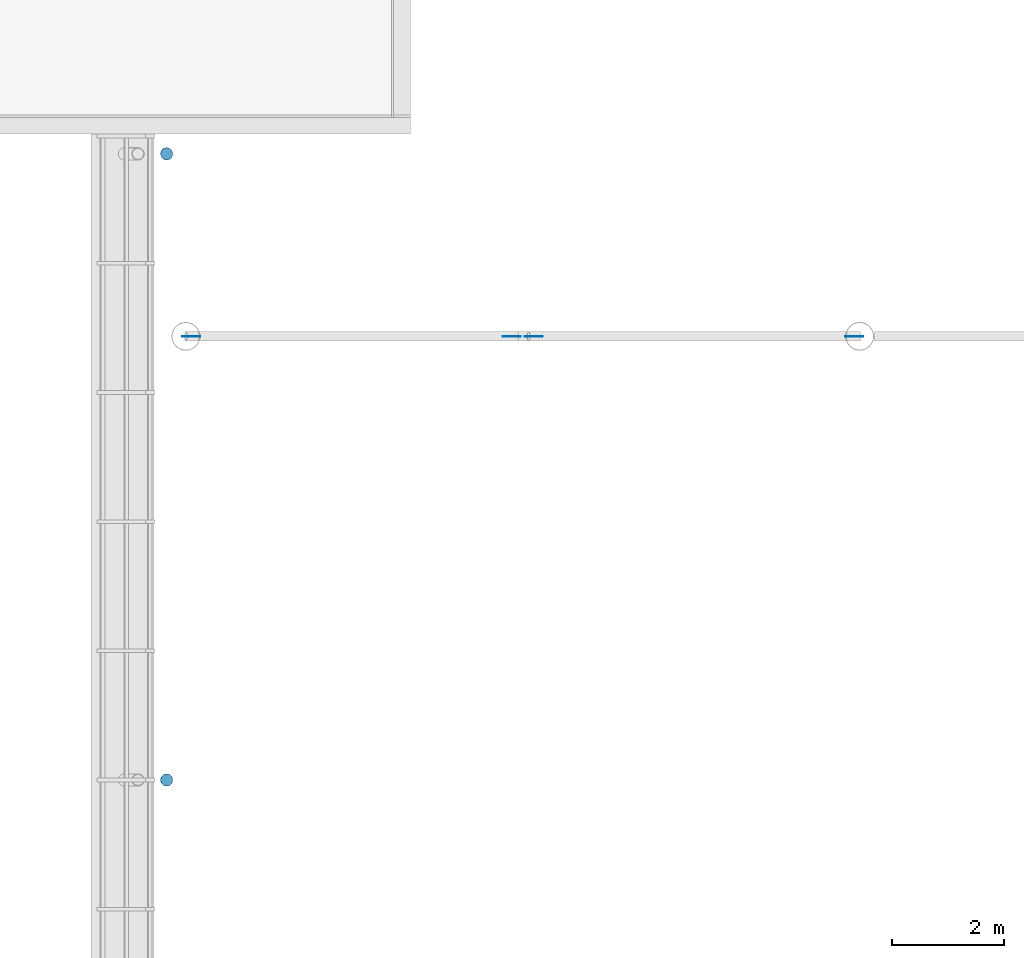
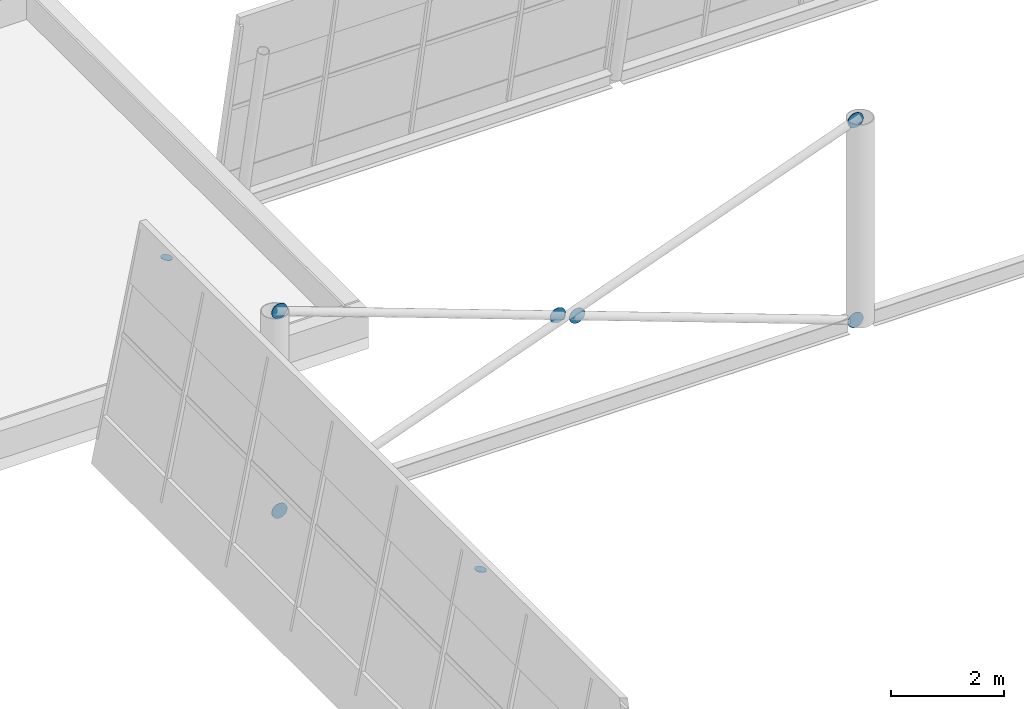
# One storey, part 38 of 50: 8 discrete accessories.
"""IFC4 building model written with IfcOpenShell, lengths in metres."""

from ifc_helpers import new_model, si_unit, direction, frame, origin, origin_2d, place, context, subcontext, project, spatial, circle, extrude, material, layer, layer_set, type_object, element, save


model = new_model("IFC4")

# Units and contexts
model_context = context("Model", 3, precision=1e-05, world=origin(), true_north=direction((0.0, 1.0)))
body_context = subcontext(model_context, "Body", "Model", "MODEL_VIEW")
ifc_project = project(units=[si_unit("LENGTHUNIT", "METRE"), si_unit("AREAUNIT", "SQUARE_METRE"), si_unit("VOLUMEUNIT", "CUBIC_METRE"), si_unit("PLANEANGLEUNIT", "RADIAN"), si_unit("MASSUNIT", "GRAM", prefix="KILO")], contexts=[model_context])

# Site, building, storey
site_placement = place(None, origin())
site = spatial("IfcSite", under=ifc_project, at=site_placement, CompositionType="ELEMENT")
building_placement = place(site_placement, origin())
building = spatial("IfcBuilding", under=site, at=building_placement, Name="Windward Yard Aquatics Centre", CompositionType="ELEMENT")
storey_placement = place(building_placement, frame((0.0, 0.0, 18.199951171875)))
storey = spatial("IfcBuildingStorey", under=building, at=storey_placement, Name="L04", CompositionType="ELEMENT", Elevation=18.199951171875)

# Discrete accessories
ifc_material = material(Name="Steel S355", Category="steel")
ifc_layer_1 = layer(ifc_material, 0.010009765625)
ifc_layer_set_1 = layer_set([ifc_layer_1], Name="End cap plate 10 mm CHS219.1x12.7")
discrete_accessory_type_1 = type_object("IfcDiscreteAccessoryType", Name="End cap plate 10 mm CHS219.1x12.7", PredefinedType="USERDEFINED", material=ifc_layer_set_1)
for number, where, z_axis, x_axis, name in (
    (1, (59.65771484375, 83.64990234375, 3.7001953125), (0.196116135138, 0.0, 0.980580675691), (0.0, 1.0, 0.0), "End cap"),
    (2, (59.65771484375, 72.5, 3.7001953125), (0.196116135138, 0.0, 0.980580675691), (0.0, 1.0, 0.0), "End cap"),
):
    element("IfcDiscreteAccessory", number, at=place(storey_placement, frame(where, z_axis=z_axis, x_axis=x_axis)), inside=storey, type_object=discrete_accessory_type_1, Name=name, ObjectType="END CAP", PredefinedType="USERDEFINED", context=body_context, shape_type="SweptSolid", body=[
        extrude(circle(Radius=0.109619140625, at=origin_2d()), origin(), (0.0, 0.0, 1.0), 0.010009765625),
    ])
ifc_layer_2 = layer(ifc_material, 0.011962890625)
ifc_layer_set_2 = layer_set([ifc_layer_2], Name="Gusset plate 320 mm disc 12 mm")
discrete_accessory_type_2 = type_object("IfcDiscreteAccessoryType", Name="Gusset plate 320 mm disc 12 mm", PredefinedType="USERDEFINED", material=ifc_layer_set_2)
for number, where, z_axis, x_axis, name in (
    (3, (60.093994140625, 80.39404296875, 0.034423828125), (0.0, 1.0, 0.0), (-1.0, 0.0, 0.0), "Gusset plate"),
    (4, (71.906005859375, 80.39404296875, 4.36572265625), (0.0, 1.0, 0.0), (-1.0, 0.0, 0.0), "Gusset plate"),
    (5, (60.093994140625, 80.39404296875, 4.36572265625), (0.0, 1.0, 0.0), (-1.0, 0.0, 0.0), "Gusset plate"),
    (6, (65.802734375, 80.39404296875, 2.2724609375), (0.0, 1.0, 0.0), (-1.0, 0.0, 0.0), "Gusset plate"),
    (7, (66.197265625, 80.39404296875, 2.127685546875), (0.0, 1.0, 0.0), (-1.0, 0.0, 0.0), "Gusset plate"),
    (8, (71.906005859375, 80.39404296875, 0.034423828125), (0.0, 1.0, 0.0), (-1.0, 0.0, 0.0), "Gusset plate"),
):
    element("IfcDiscreteAccessory", number, at=place(storey_placement, frame(where, z_axis=z_axis, x_axis=x_axis)), inside=storey, type_object=discrete_accessory_type_2, Name=name, ObjectType="GUSSET PLATE", PredefinedType="USERDEFINED", context=body_context, shape_type="SweptSolid", body=[
        extrude(circle(Radius=0.159912109375, at=origin_2d()), origin(), (0.0, 0.0, 1.0), 0.011962890625),
    ])

save(model, "model.ifc")
